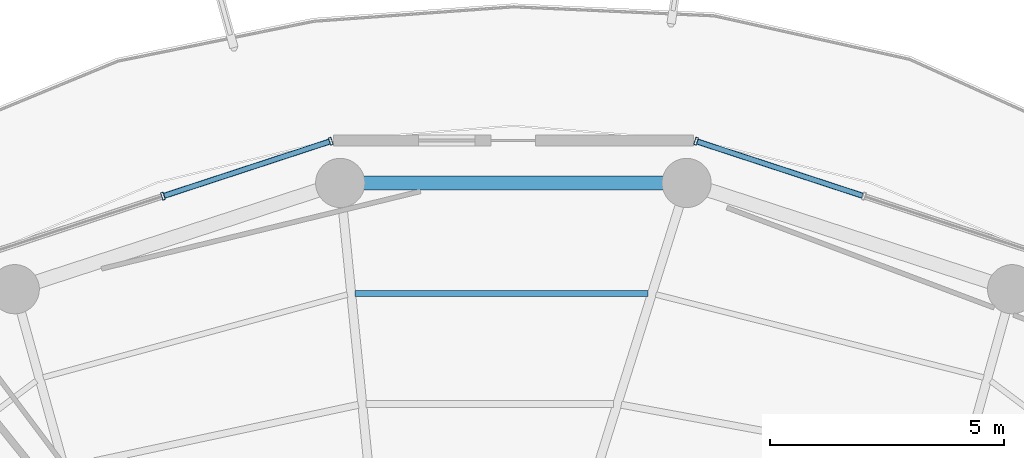
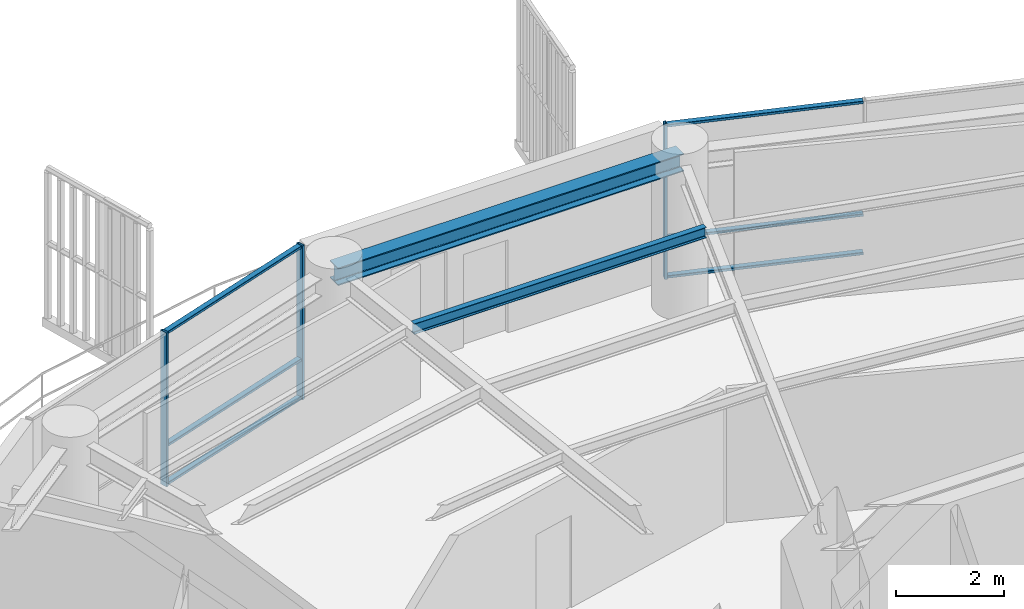
# One storey, part 19 of 30: 9 members, 2 beams, 2 elements without a shape of their own.
"""IFC4 building model written with IfcOpenShell, lengths in metres."""

import ifcopenshell
import ifcopenshell.guid

model = None  # the IFC model being written
_history = None  # IfcOwnerHistory: only IFC2X3 demands one
_inside = {}  # id of a spatial element -> (the spatial element, [elements in it])
_under = {}  # id of a project, library or spatial element -> (it, [spatial elements below it])
_declared = {}  # id of a project -> (the project, [libraries it declares])
_typed = {}  # id of a type object -> (the type object, [elements of that type])
_made_of = {}  # id of a material, layer set ... -> (it, [elements and type objects made of it])


def new_model(schema):
    """Start an empty IFC model of exactly this schema.

    Asked for "IFC4X3", IfcOpenShell would pick the latest addendum, in which some entities
    have other attributes; the version numbers below select the first issue.
    IFC2X3 requires an IfcOwnerHistory on every rooted entity: one is made here for all.
    """
    global model, _history
    if schema == "IFC4X3":
        model = ifcopenshell.file(schema_version=(4, 3, 0, 0))
    else:
        model = ifcopenshell.file(schema=schema)
    _inside.clear()
    _under.clear()
    _declared.clear()
    _typed.clear()
    _made_of.clear()
    _history = None
    if model.schema == "IFC2X3":
        org = make("IfcOrganization", Name="unknown")
        user = make(
            "IfcPersonAndOrganization",
            ThePerson=make("IfcPerson", FamilyName="unknown"),
            TheOrganization=org,
        )
        app = make(
            "IfcApplication",
            ApplicationDeveloper=org,
            Version="unknown",
            ApplicationFullName="unknown",
            ApplicationIdentifier="unknown",
        )
        _history = make(
            "IfcOwnerHistory",
            OwningUser=user,
            OwningApplication=app,
            ChangeAction="ADDED",
            CreationDate=0,
        )
    return model


def make(cls, **values):
    """One entity of the class cls with the attributes given. An attribute that is None is left unset."""
    return model.create_entity(
        cls, **{name: value for name, value in values.items() if value is not None}
    )


def rooted(cls, **values):
    """An entity with a GlobalId (a new one), such as an element, a storey or a relation."""
    return make(cls, GlobalId=ifcopenshell.guid.new(), OwnerHistory=_history, **values)


def si_unit(unit_type, name, prefix=None):
    """IfcSIUnit, for example si_unit("LENGTHUNIT", "METRE", prefix="MILLI")."""
    return make("IfcSIUnit", UnitType=unit_type, Prefix=prefix, Name=name)


def assignment(units):
    """IfcUnitAssignment: the units of a project."""
    return None if units is None else make("IfcUnitAssignment", Units=units)


def point(xyz):
    """IfcCartesianPoint."""
    return None if xyz is None else make("IfcCartesianPoint", Coordinates=xyz)


def direction(xyz):
    """IfcDirection."""
    return None if xyz is None else make("IfcDirection", DirectionRatios=xyz)


def frame(location, z_axis=None, x_axis=None):
    """IfcAxis2Placement3D, a coordinate frame: its origin and axes. An axis left out is left unset."""
    return make(
        "IfcAxis2Placement3D",
        Location=point(location),
        Axis=direction(z_axis),
        RefDirection=direction(x_axis),
    )


def frame_2d(location, x_axis=None):
    """IfcAxis2Placement2D, a coordinate frame in the plane: its origin and x axis."""
    return make(
        "IfcAxis2Placement2D", Location=point(location), RefDirection=direction(x_axis)
    )


def origin():
    """The frame at (0, 0, 0) with its axes left unset."""
    return frame((0.0, 0.0, 0.0))


def origin_2d():
    """The frame at (0, 0) in the plane with its x axis left unset."""
    return frame_2d((0.0, 0.0))


def place(relative_to, where):
    """IfcLocalPlacement: puts the frame where relative to a parent placement (None: the world)."""
    return make(
        "IfcLocalPlacement", PlacementRelTo=relative_to, RelativePlacement=where
    )


def context(
    kind, dimensions, precision=None, world=None, true_north=None, identifier=None
):
    """IfcGeometricRepresentationContext, for example the 3D "Model" context."""
    return make(
        "IfcGeometricRepresentationContext",
        ContextIdentifier=identifier,
        ContextType=kind,
        CoordinateSpaceDimension=dimensions,
        Precision=precision,
        WorldCoordinateSystem=world,
        TrueNorth=true_north,
    )


def subcontext(parent, identifier, kind, view, scale=None):
    """IfcGeometricRepresentationSubContext, for example "Body" below "Model"."""
    return make(
        "IfcGeometricRepresentationSubContext",
        ContextIdentifier=identifier,
        ContextType=kind,
        ParentContext=parent,
        TargetScale=scale,
        TargetView=view,
    )


def project(units=None, contexts=None):
    """IfcProject with its units and contexts."""
    return rooted(
        "IfcProject",
        Name="project",
        RepresentationContexts=contexts,
        UnitsInContext=assignment(units),
    )


def spatial(cls, under=None, at=None, **own):
    """A site, building, storey or space (cls), placed at a placement, below another one or the project."""
    s = rooted(cls, ObjectPlacement=at, **own)
    if under is not None:
        _under.setdefault(under.id(), (under, []))[1].append(s)
    return s


def profile(cls, at=None, kind="AREA", **sizes):
    """A parametric profile (cls). Its sizes go by their IFC names, for example OverallWidth=200.0."""
    return make(cls, ProfileType=kind, Position=at, **sizes)


def hollow_rectangle(**sizes):
    """IfcRectangleHollowProfileDef."""
    return profile("IfcRectangleHollowProfileDef", **sizes)


def i_section(**sizes):
    """IfcIShapeProfileDef."""
    return profile("IfcIShapeProfileDef", **sizes)


def extrude(swept, where, along, depth):
    """IfcExtrudedAreaSolid: the profile swept, set in the frame where, extruded along a direction by depth."""
    return make(
        "IfcExtrudedAreaSolid",
        SweptArea=swept,
        Position=where,
        ExtrudedDirection=direction(along),
        Depth=depth,
    )


def shape(context_of_items, identifier, shape_type, items):
    """IfcShapeRepresentation: the items that make up one representation, for example the "Body"."""
    return make(
        "IfcShapeRepresentation",
        ContextOfItems=context_of_items,
        RepresentationIdentifier=identifier,
        RepresentationType=shape_type,
        Items=items,
    )


def material(Name=None, Category=None):
    """IfcMaterial."""
    return make("IfcMaterial", Name=Name, Category=Category)


def layer(
    of_material, thickness, ventilated=None, Name=None, Category=None, Priority=None
):
    """IfcMaterialLayer: one layer of a wall or slab, of a material (None: an air gap)."""
    return make(
        "IfcMaterialLayer",
        Material=of_material,
        LayerThickness=thickness,
        IsVentilated=ventilated,
        Name=Name,
        Category=Category,
        Priority=Priority,
    )


def layer_set(layers, Name=None):
    """IfcMaterialLayerSet."""
    return make("IfcMaterialLayerSet", MaterialLayers=layers, LayerSetName=Name)


def material_profile(
    of_material, cross_section, Name=None, Category=None, Priority=None
):
    """IfcMaterialProfile: a cross section and its material."""
    return make(
        "IfcMaterialProfile",
        Name=Name,
        Material=of_material,
        Profile=cross_section,
        Priority=Priority,
        Category=Category,
    )


def profile_set(profiles, Name=None, composite=None):
    """IfcMaterialProfileSet."""
    return make(
        "IfcMaterialProfileSet",
        Name=Name,
        MaterialProfiles=profiles,
        CompositeProfile=composite,
    )


def made_of(thing, what):
    """Note that an element or type object is made of a material, layer set ...; save() writes the relation."""
    if what is not None:
        _made_of.setdefault(what.id(), (what, []))[1].append(thing)
    return thing


def type_object(cls, material=None, **own):
    """A type object (cls), such as IfcWallType, which elements share."""
    return made_of(rooted(cls, **own), material)


def element(
    cls,
    number,
    at=None,
    inside=None,
    cuts=None,
    type_object=None,
    material=None,
    context=None,
    identifier="Body",
    shape_type=None,
    held_by="IfcProductDefinitionShape",
    body=None,
    shapes=None,
    **own,
):
    """One element of the class cls, such as IfcWall. Its Tag is "e" and its number.

    at: its placement. inside: the storey or other place that contains it. cuts: it is an
    opening in that element (IfcRelVoidsElement). A single representation is given by context,
    identifier, shape_type and body (its items); several are given by shapes. held_by: the class
    of the entity that holds the representations. save() writes the other relations.
    """
    e = rooted(cls, Tag="e%d" % number, ObjectPlacement=at, **own)
    if body is not None:
        shapes = [shape(context, identifier, shape_type, body)]
    if shapes is not None:
        e.Representation = make(held_by, Representations=shapes)
    if inside is not None:
        _inside.setdefault(inside.id(), (inside, []))[1].append(e)
    if cuts is not None:
        rooted(
            "IfcRelVoidsElement", RelatingBuildingElement=cuts, RelatedOpeningElement=e
        )
    if type_object is not None:
        _typed.setdefault(type_object.id(), (type_object, []))[1].append(e)
    return made_of(e, material)


def aggregate(whole, parts):
    """IfcRelAggregates: a whole, such as a stair, and the parts it consists of."""
    return rooted("IfcRelAggregates", RelatingObject=whole, RelatedObjects=parts)


def save(model, path):
    """Write the relations noted so far, then the file.

    IfcRelAggregates (storeys below a building ...), IfcRelContainedInSpatialStructure (elements
    in a storey), IfcRelDefinesByType, IfcRelAssociatesMaterial and IfcRelDeclares: one each for
    every whole, place, type object, material and project.
    """
    for whole, parts in _under.values():
        aggregate(whole, parts)
    for where, things in _inside.values():
        rooted(
            "IfcRelContainedInSpatialStructure",
            RelatedElements=things,
            RelatingStructure=where,
        )
    for kind, things in _typed.values():
        rooted("IfcRelDefinesByType", RelatedObjects=things, RelatingType=kind)
    for what, things in _made_of.values():
        rooted("IfcRelAssociatesMaterial", RelatedObjects=things, RelatingMaterial=what)
    for by, libraries in _declared.values():
        rooted("IfcRelDeclares", RelatingContext=by, RelatedDefinitions=libraries)
    model.write(path)


model = new_model("IFC4")

# Units and contexts
model_context = context("Model", 3, precision=1e-05, world=origin(), true_north=direction((0.0, 1.0)))
body_context = subcontext(model_context, "Body", "Model", "MODEL_VIEW")
ifc_project = project(units=[si_unit("LENGTHUNIT", "METRE"), si_unit("AREAUNIT", "SQUARE_METRE"), si_unit("VOLUMEUNIT", "CUBIC_METRE"), si_unit("PLANEANGLEUNIT", "RADIAN"), si_unit("MASSUNIT", "GRAM", prefix="KILO")], contexts=[model_context])

# Site, building, storey
site_placement = place(None, origin())
site = spatial("IfcSite", under=ifc_project, at=site_placement, CompositionType="ELEMENT")
building_placement = place(site_placement, origin())
building = spatial("IfcBuilding", under=site, at=building_placement, Name="Kelanora Arch Commons", CompositionType="ELEMENT")
storey_placement = place(building_placement, frame((0.0, 0.0, 208.199951171875)))
storey = spatial("IfcBuildingStorey", under=building, at=storey_placement, Name="L53", CompositionType="ELEMENT", Elevation=208.199951171875)

# Beams
ifc_material_1 = material(Name="Steel S355", Category="steel")
ifc_material_profile_1 = material_profile(ifc_material_1, i_section(OverallWidth=0.1201171875, OverallDepth=0.239990234375, WebThickness=0.006103515625, FlangeThickness=0.009765625, FilletRadius=0.014892578125, at=origin_2d()), Name="IPE240")
ifc_profile_set_1 = profile_set([ifc_material_profile_1], Name="Steel S355")
beam_type_1 = type_object("IfcBeamType", Name="BM-JST-02", PredefinedType="JOIST", material=ifc_profile_set_1)
beam_1_placement = place(storey_placement, frame((76.87109375, 74.43212890625, 3.3701171875), z_axis=(-1.0, 0.0, 0.0), x_axis=(0.0, -1.0, 0.0)))
element("IfcBeam", 1, at=beam_1_placement, inside=storey, type_object=beam_type_1, Name="Secondary Chord Joist BJC-08 L53", PredefinedType="JOIST", context=body_context, shape_type="SweptSolid", body=[
    extrude(i_section(OverallWidth=0.1201171875, OverallDepth=0.239990234375, WebThickness=0.006103515625, FlangeThickness=0.009765625, FilletRadius=0.014892578125, at=origin_2d()), origin(), (0.0, 0.0, 1.0), 6.246337890625),
])
ifc_material_profile_2 = material_profile(ifc_material_1, i_section(OverallWidth=0.300048828125, OverallDepth=0.39990234375, WebThickness=0.013427734375, FlangeThickness=0.02392578125, FilletRadius=0.027099609375, at=origin_2d()), Name="HEB400")
ifc_profile_set_2 = profile_set([ifc_material_profile_2], Name="Steel S355")
beam_type_2 = type_object("IfcBeamType", Name="BM-SPN-Z4", PredefinedType="SPANDREL", material=ifc_profile_set_2)
beam_2_placement = place(storey_placement, frame((77.6953125, 76.7900390625, 3.2900390625), z_axis=(-1.0, 0.0, 0.0), x_axis=(0.0, -1.0, 0.0)))
element("IfcBeam", 2, at=beam_2_placement, inside=storey, type_object=beam_type_2, Name="Perimeter Spandrel Beam BS-08 L53", PredefinedType="SPANDREL", context=body_context, shape_type="SweptSolid", body=[
    extrude(i_section(OverallWidth=0.300048828125, OverallDepth=0.39990234375, WebThickness=0.013427734375, FlangeThickness=0.02392578125, FilletRadius=0.027099609375, at=origin_2d()), origin(), (0.0, 0.0, 1.0), 7.390625),
])

# Curtain wall, member
ifc_material_2 = material(Name="Terracotta ceramic-fritted low-E glass and aluminium", Category="masonry")
ifc_layer = layer(ifc_material_2, 0.175048828125)
ifc_layer_set = layer_set([ifc_layer], Name="Terracotta ceramic-fritted low-E glass and aluminium")
curtain_wall_type = type_object("IfcCurtainWallType", Name="CW-SYS-02", PredefinedType="NOTDEFINED", material=ifc_layer_set)
curtain_wall_1_placement = place(storey_placement, origin())
curtain_wall_1 = element("IfcCurtainWall", 3, at=curtain_wall_1_placement, inside=storey, type_object=curtain_wall_type, Name="Unitised Curtain Wall L53-B03", PredefinedType="NOTDEFINED")
ifc_material_3 = material(Name="Powder-coated aluminium terracotta", Category="masonry")
ifc_material_profile_3 = material_profile(ifc_material_3, hollow_rectangle(XDim=0.159912109375, YDim=0.06005859375, WallThickness=0.0048828125, InnerFilletRadius=0.0048828125, OuterFilletRadius=0.010009765625, at=origin_2d()), Name="CWM160x60")
ifc_profile_set_3 = profile_set([ifc_material_profile_3], Name="Powder-coated aluminium terracotta")
member_type_1 = type_object("IfcMemberType", Name="CWM-STD", PredefinedType="MULLION", material=ifc_profile_set_3)
member_1_placement = place(storey_placement, frame((77.897705078125, 77.68212890625, 0.0), z_axis=(0.0, 0.0, 1.0), x_axis=(-0.311582439059, -0.950219124029, 0.0)))
member_1 = element("IfcMember", 4, at=member_1_placement, type_object=member_type_1, Name="CW-02 mullion 3", PredefinedType="MULLION", context=body_context, shape_type="SweptSolid", body=[
    extrude(hollow_rectangle(XDim=0.159912109375, YDim=0.06005859375, WallThickness=0.0048828125, InnerFilletRadius=0.0048828125, OuterFilletRadius=0.010009765625, at=origin_2d()), origin(), (0.0, 0.0, 1.0), 3.47509765625),
])

# Curtain wall, members
curtain_wall_2_placement = place(storey_placement, origin())
curtain_wall_2 = element("IfcCurtainWall", 5, at=curtain_wall_2_placement, inside=storey, type_object=curtain_wall_type, Name="Unitised Curtain Wall L53-B05", PredefinedType="NOTDEFINED")
member_2_placement = place(storey_placement, frame((70.102294921875, 77.68212890625, 0.0), z_axis=(0.0, 0.0, 1.0), x_axis=(0.311582439059, -0.950219124029, 0.0)))
member_2 = element("IfcMember", 6, at=member_2_placement, type_object=member_type_1, Name="CW-02 mullion 1", PredefinedType="MULLION", context=body_context, shape_type="SweptSolid", body=[
    extrude(hollow_rectangle(XDim=0.159912109375, YDim=0.06005859375, WallThickness=0.0048828125, InnerFilletRadius=0.0048828125, OuterFilletRadius=0.010009765625, at=origin_2d()), origin(), (0.0, 0.0, 1.0), 3.47509765625),
])
member_3_placement = place(storey_placement, frame((66.5224609375, 76.50830078125, 0.0), z_axis=(0.0, 0.0, 1.0), x_axis=(0.311582439059, -0.950219124029, 0.0)))
member_3 = element("IfcMember", 7, at=member_3_placement, type_object=member_type_1, Name="CW-02 mullion 2", PredefinedType="MULLION", context=body_context, shape_type="SweptSolid", body=[
    extrude(hollow_rectangle(XDim=0.159912109375, YDim=0.06005859375, WallThickness=0.0048828125, InnerFilletRadius=0.0048828125, OuterFilletRadius=0.010009765625, at=origin_2d()), origin(), (0.0, 0.0, 1.0), 3.47509765625),
])

# Member
ifc_material_profile_4 = material_profile(ifc_material_3, hollow_rectangle(XDim=0.1201171875, YDim=0.06005859375, WallThickness=0.0048828125, InnerFilletRadius=0.0048828125, OuterFilletRadius=0.010009765625, at=origin_2d()), Name="CWT120x60")
ifc_profile_set_4 = profile_set([ifc_material_profile_4], Name="Powder-coated aluminium terracotta")
member_type_2 = type_object("IfcMemberType", Name="CWT-STD", PredefinedType="USERDEFINED", material=ifc_profile_set_4)
member_4_placement = place(storey_placement, frame((81.448974609375, 76.517578125, 0.030029296875), z_axis=(-0.950206527055, 0.311620852867, 0.0), x_axis=(-0.311620852867, -0.950206527055, 0.0)))
member_4 = element("IfcMember", 8, at=member_4_placement, type_object=member_type_2, Name="CW-02 transom 2.1", ObjectType="TRANSOM", PredefinedType="USERDEFINED", context=body_context, shape_type="SweptSolid", body=[
    extrude(hollow_rectangle(XDim=0.1201171875, YDim=0.06005859375, WallThickness=0.0048828125, InnerFilletRadius=0.0048828125, OuterFilletRadius=0.010009765625, at=origin_2d()), origin(), (0.0, 0.0, 1.0), 3.707275390625),
])

member_5_placement = place(storey_placement, frame((81.448974609375, 76.517578125, 0.900146484375), z_axis=(-0.950206527055, 0.311620852867, 0.0), x_axis=(-0.311620852867, -0.950206527055, 0.0)))
member_5 = element("IfcMember", 9, at=member_5_placement, type_object=member_type_2, Name="CW-02 transom 2.2", ObjectType="TRANSOM", PredefinedType="USERDEFINED", context=body_context, shape_type="SweptSolid", body=[
    extrude(hollow_rectangle(XDim=0.1201171875, YDim=0.06005859375, WallThickness=0.0048828125, InnerFilletRadius=0.0048828125, OuterFilletRadius=0.010009765625, at=origin_2d()), origin(), (0.0, 0.0, 1.0), 3.707275390625),
])

member_6_placement = place(storey_placement, frame((81.448974609375, 76.517578125, 3.445068359375), z_axis=(-0.950206527055, 0.311620852867, 0.0), x_axis=(-0.311620852867, -0.950206527055, 0.0)))
member_6 = element("IfcMember", 10, at=member_6_placement, type_object=member_type_2, Name="CW-02 transom 2.3", ObjectType="TRANSOM", PredefinedType="USERDEFINED", context=body_context, shape_type="SweptSolid", body=[
    extrude(hollow_rectangle(XDim=0.1201171875, YDim=0.06005859375, WallThickness=0.0048828125, InnerFilletRadius=0.0048828125, OuterFilletRadius=0.010009765625, at=origin_2d()), origin(), (0.0, 0.0, 1.0), 3.707275390625),
])

aggregate(curtain_wall_1, [member_1, member_4, member_5, member_6])

member_7_placement = place(storey_placement, frame((70.07373046875, 77.6728515625, 0.030029296875), z_axis=(-0.950206527055, -0.311620852867, 0.0), x_axis=(0.311620852867, -0.950206527055, 0.0)))
member_7 = element("IfcMember", 11, at=member_7_placement, type_object=member_type_2, Name="CW-02 transom 1.1", ObjectType="TRANSOM", PredefinedType="USERDEFINED", context=body_context, shape_type="SweptSolid", body=[
    extrude(hollow_rectangle(XDim=0.1201171875, YDim=0.06005859375, WallThickness=0.0048828125, InnerFilletRadius=0.0048828125, OuterFilletRadius=0.010009765625, at=origin_2d()), origin(), (0.0, 0.0, 1.0), 3.707275390625),
])

member_8_placement = place(storey_placement, frame((70.07373046875, 77.6728515625, 0.900146484375), z_axis=(-0.950206527055, -0.311620852867, 0.0), x_axis=(0.311620852867, -0.950206527055, 0.0)))
member_8 = element("IfcMember", 12, at=member_8_placement, type_object=member_type_2, Name="CW-02 transom 1.2", ObjectType="TRANSOM", PredefinedType="USERDEFINED", context=body_context, shape_type="SweptSolid", body=[
    extrude(hollow_rectangle(XDim=0.1201171875, YDim=0.06005859375, WallThickness=0.0048828125, InnerFilletRadius=0.0048828125, OuterFilletRadius=0.010009765625, at=origin_2d()), origin(), (0.0, 0.0, 1.0), 3.707275390625),
])

member_9_placement = place(storey_placement, frame((70.07373046875, 77.6728515625, 3.445068359375), z_axis=(-0.950206527055, -0.311620852867, 0.0), x_axis=(0.311620852867, -0.950206527055, 0.0)))
member_9 = element("IfcMember", 13, at=member_9_placement, type_object=member_type_2, Name="CW-02 transom 1.3", ObjectType="TRANSOM", PredefinedType="USERDEFINED", context=body_context, shape_type="SweptSolid", body=[
    extrude(hollow_rectangle(XDim=0.1201171875, YDim=0.06005859375, WallThickness=0.0048828125, InnerFilletRadius=0.0048828125, OuterFilletRadius=0.010009765625, at=origin_2d()), origin(), (0.0, 0.0, 1.0), 3.707275390625),
])

aggregate(curtain_wall_2, [member_2, member_3, member_7, member_8, member_9])

save(model, "model.ifc")
